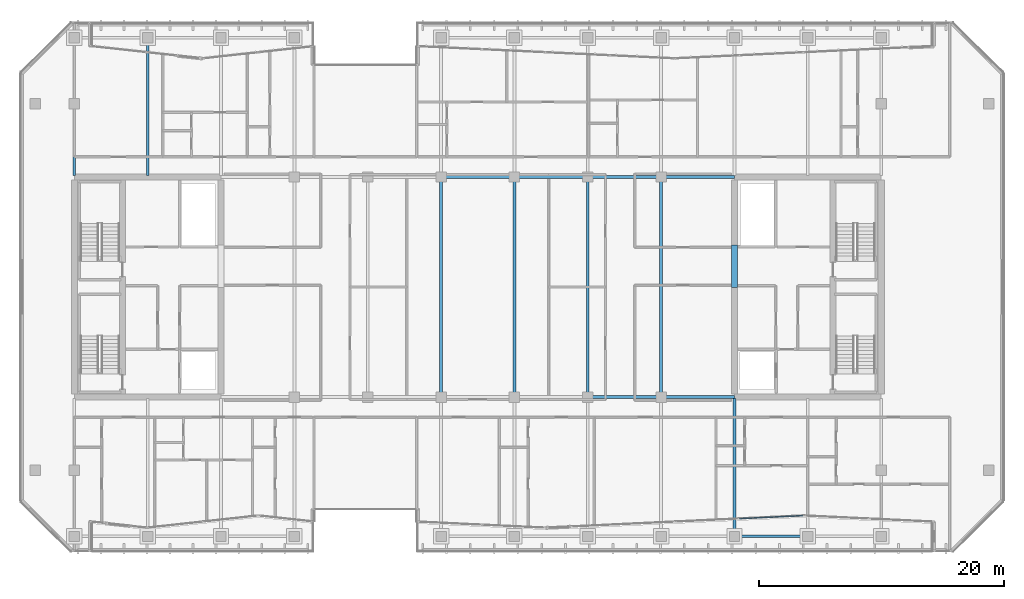
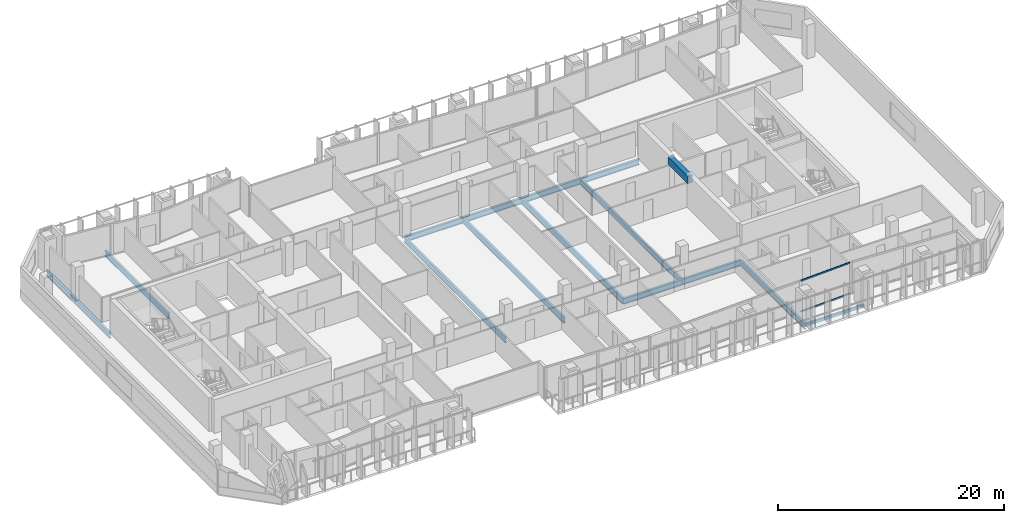
# One storey, part 7 of 28: 15 beams, 2 members, 1 element without a shape of its own.
"""IFC4 building model written with IfcOpenShell, lengths in metres."""

from ifc_helpers import new_model, si_unit, direction, frame, origin, origin_2d, place, context, subcontext, project, spatial, rectangle, hollow_rectangle, i_section, extrude, material, layer, layer_set, material_profile, profile_set, type_object, element, aggregate, save


model = new_model("IFC4")

# Units and contexts
model_context = context("Model", 3, precision=1e-05, world=origin(), true_north=direction((0.0, 1.0)))
body_context = subcontext(model_context, "Body", "Model", "MODEL_VIEW")
ifc_project = project(units=[si_unit("LENGTHUNIT", "METRE"), si_unit("AREAUNIT", "SQUARE_METRE"), si_unit("VOLUMEUNIT", "CUBIC_METRE"), si_unit("PLANEANGLEUNIT", "RADIAN"), si_unit("MASSUNIT", "GRAM", prefix="KILO")], contexts=[model_context])

# Site, building, storey
site_placement = place(None, origin())
site = spatial("IfcSite", under=ifc_project, at=site_placement, CompositionType="ELEMENT")
building_placement = place(site_placement, origin())
building = spatial("IfcBuilding", under=site, at=building_placement, Name="Tanjung Sevakor Pilgrim Tower", CompositionType="ELEMENT")
storey_placement = place(building_placement, frame((0.0, 0.0, 158.39990234375)))
storey = spatial("IfcBuildingStorey", under=building, at=storey_placement, Name="L44", CompositionType="ELEMENT", Elevation=158.39990234375)

# Beams
ifc_material_1 = material(Name="Steel S355J2", Category="steel")
ifc_material_profile_1 = material_profile(ifc_material_1, i_section(OverallWidth=0.230224609375, OverallDepth=0.6171875, WebThickness=0.01318359375, FlangeThickness=0.022216796875, FilletRadius=0.0126953125, at=origin_2d()))
ifc_profile_set_1 = profile_set([ifc_material_profile_1], Name="Steel S355J2")
beam_type_1 = type_object("IfcBeamType", Name="BM-B-G3-UB_610x229x140", PredefinedType="BEAM", material=ifc_profile_set_1)
for number, where, z_axis, x_axis, name in (
    (1, (66.0, 24.60009765625, -0.528564453125), (1.0, 0.0, 0.0), (0.0, 1.0, 0.0), "L44 Primary Floor Girder MAIN Y246-06"),
    (2, (72.0, 24.60009765625, -0.528564453125), (1.0, 0.0, 0.0), (0.0, 1.0, 0.0), "L44 Primary Floor Girder MAIN Y246-07"),
    (3, (54.0, 42.60009765625, -0.528564453125), (1.0, 0.0, 0.0), (0.0, 1.0, 0.0), "L44 Primary Floor Girder MAIN Y426-04"),
    (4, (60.0, 42.60009765625, -0.528564453125), (1.0, 0.0, 0.0), (0.0, 1.0, 0.0), "L44 Primary Floor Girder MAIN Y426-05"),
    (5, (66.0, 42.60009765625, -0.528564453125), (1.0, 0.0, 0.0), (0.0, 1.0, 0.0), "L44 Primary Floor Girder MAIN Y426-06"),
    (6, (72.0, 42.60009765625, -0.528564453125), (1.0, 0.0, 0.0), (0.0, 1.0, 0.0), "L44 Primary Floor Girder MAIN Y426-07"),
):
    element("IfcBeam", number, at=place(storey_placement, frame(where, z_axis=z_axis, x_axis=x_axis)), inside=storey, type_object=beam_type_1, Name=name, PredefinedType="BEAM", context=body_context, shape_type="SweptSolid", body=[
        extrude(i_section(OverallWidth=0.230224609375, OverallDepth=0.6171875, WebThickness=0.01318359375, FlangeThickness=0.022216796875, FilletRadius=0.0126953125, at=origin_2d()), origin(), (0.0, 0.0, 1.0), 6.0),
    ])
ifc_material_2 = material(Name="Steel S355J2", Category="steel")
ifc_material_profile_2 = material_profile(ifc_material_2, i_section(OverallWidth=0.22900390625, OverallDepth=0.6123046875, WebThickness=0.011962890625, FlangeThickness=0.01953125, FilletRadius=0.0126953125, at=origin_2d()))
ifc_profile_set_2 = profile_set([ifc_material_profile_2], Name="Steel S355J2")
beam_type_2 = type_object("IfcBeamType", Name="BM-B-G4-UB_610x229x125", PredefinedType="BEAM", material=ifc_profile_set_2)
for number, where, z_axis, x_axis, name in (
    (7, (24.0, 42.715087890625, -0.526123046875), (0.0, 1.0, 0.0), (-1.0, 0.0, 0.0), "L44 MAIN Girder 002"),
    (8, (30.0, 42.715087890625, -0.526123046875), (0.0, 1.0, 0.0), (-1.0, 0.0, 0.0), "L44 MAIN Girder 004"),
):
    element("IfcBeam", number, at=place(storey_placement, frame(where, z_axis=z_axis, x_axis=x_axis)), inside=storey, type_object=beam_type_2, Name=name, PredefinedType="BEAM", context=body_context, shape_type="SweptSolid", body=[
        extrude(i_section(OverallWidth=0.22900390625, OverallDepth=0.6123046875, WebThickness=0.011962890625, FlangeThickness=0.01953125, FilletRadius=0.0126953125, at=origin_2d()), origin(), (0.0, 0.0, 1.0), 11.284912109375),
    ])
for number, where, z_axis, x_axis, name in (
    (9, (54.0, 24.60009765625, -0.526123046875), (0.0, 1.0, 0.0), (-1.0, 0.0, 0.0), "L44 MAIN Girder 012"),
    (10, (60.0, 24.60009765625, -0.526123046875), (0.0, 1.0, 0.0), (-1.0, 0.0, 0.0), "L44 MAIN Girder 015"),
    (11, (66.0, 24.60009765625, -0.526123046875), (0.0, 1.0, 0.0), (-1.0, 0.0, 0.0), "L44 MAIN Girder 018"),
    (12, (72.0, 24.60009765625, -0.526123046875), (0.0, 1.0, 0.0), (-1.0, 0.0, 0.0), "L44 MAIN Girder 021"),
):
    element("IfcBeam", number, at=place(storey_placement, frame(where, z_axis=z_axis, x_axis=x_axis)), inside=storey, type_object=beam_type_2, Name=name, PredefinedType="BEAM", context=body_context, shape_type="SweptSolid", body=[
        extrude(i_section(OverallWidth=0.22900390625, OverallDepth=0.6123046875, WebThickness=0.011962890625, FlangeThickness=0.01953125, FilletRadius=0.0126953125, at=origin_2d()), origin(), (0.0, 0.0, 1.0), 18.0),
    ])
beam_1_placement = place(storey_placement, frame((78.0, 13.199951171875, -0.526123046875), z_axis=(0.0, 1.0, 0.0), x_axis=(-1.0, 0.0, 0.0)))
element("IfcBeam", 13, at=beam_1_placement, inside=storey, type_object=beam_type_2, Name="L44 MAIN Girder 023", PredefinedType="BEAM", context=body_context, shape_type="SweptSolid", body=[
    extrude(i_section(OverallWidth=0.22900390625, OverallDepth=0.6123046875, WebThickness=0.011962890625, FlangeThickness=0.01953125, FilletRadius=0.0126953125, at=origin_2d()), origin(), (0.0, 0.0, 1.0), 11.284912109375),
])
ifc_material_3 = material(Name="Concrete C60/75", Category="concrete")
ifc_material_profile_3 = material_profile(ifc_material_3, rectangle(XDim=0.5, YDim=0.800048828125, at=origin_2d()))
ifc_profile_set_3 = profile_set([ifc_material_profile_3], Name="Concrete C60/75")
beam_type_3 = type_object("IfcBeamType", Name="BM-B-LN2-RC-BM_500x800", PredefinedType="LINTEL", material=ifc_profile_set_3)
beam_2_placement = place(storey_placement, frame((78.0, 33.550048828125, 3.010009765625), z_axis=(0.0, 1.0, 0.0), x_axis=(-1.0, 0.0, 0.0)))
element("IfcBeam", 14, at=beam_2_placement, inside=storey, type_object=beam_type_3, Name="L44 E Core Coupling Lintel", PredefinedType="LINTEL", context=body_context, shape_type="SweptSolid", body=[
    extrude(rectangle(XDim=0.5, YDim=0.800048828125, at=origin_2d()), origin(), (0.0, 0.0, 1.0), 3.5),
])
ifc_material_4 = material(Name="Steel S355J2", Category="steel")
ifc_material_profile_4 = material_profile(ifc_material_4, hollow_rectangle(XDim=0.199951171875, YDim=0.300048828125, WallThickness=0.012451171875, at=origin_2d()))
ifc_profile_set_4 = profile_set([ifc_material_profile_4], Name="Steel S355J2")
beam_type_4 = type_object("IfcBeamType", Name="BM-B-SP3-RHS_300x200x12.5", PredefinedType="SPANDREL", material=ifc_profile_set_4)
beam_3_placement = place(storey_placement, frame((78.0, 13.199951171875, -0.369873046875), z_axis=(1.0, 0.0, 0.0), x_axis=(0.0, 1.0, 0.0)))
element("IfcBeam", 15, at=beam_3_placement, inside=storey, type_object=beam_type_4, Name="L44 Spandrel MAIN S-15", PredefinedType="SPANDREL", context=body_context, shape_type="SweptSolid", body=[
    extrude(hollow_rectangle(XDim=0.199951171875, YDim=0.300048828125, WallThickness=0.012451171875, at=origin_2d()), origin(), (0.0, 0.0, 1.0), 6.0),
])

# Curtain wall, members
ifc_material_5 = material(Name="Aluminium 6063-T6 and Low-E Glass", Category="aluminium")
ifc_layer = layer(ifc_material_5, 0.199951171875)
ifc_layer_set = layer_set([ifc_layer], Name="CW-SYS-PRAY")
curtain_wall_type = type_object("IfcCurtainWallType", Name="CW-SYS-PRAY", PredefinedType="NOTDEFINED", material=ifc_layer_set)
curtain_wall_placement = place(storey_placement, origin())
curtain_wall = element("IfcCurtainWall", 16, at=curtain_wall_placement, inside=storey, type_object=curtain_wall_type, Name="L44 Curtain Wall CW-PRY-L44-11", PredefinedType="NOTDEFINED")
ifc_material_6 = material(Name="Aluminium 6063-T6", Category="aluminium")
ifc_material_profile_5 = material_profile(ifc_material_6, hollow_rectangle(XDim=0.074951171875, YDim=0.159912109375, WallThickness=0.00439453125, at=origin_2d()))
ifc_profile_set_5 = profile_set([ifc_material_profile_5], Name="Aluminium 6063-T6")
member_type = type_object("IfcMemberType", Name="TYPE-CWT-2", PredefinedType="USERDEFINED", material=ifc_profile_set_5)
member_1_placement = place(storey_placement, frame((78.409423828125, 14.65673828125, 0.03759765625), z_axis=(0.998878367882, 0.047349827638, 0.0), x_axis=(-0.047349827638, 0.998878367882, 0.0)))
member_1 = element("IfcMember", 17, at=member_1_placement, type_object=member_type, Name="CW-PRY transom 2.1", ObjectType="TRANSOM", PredefinedType="USERDEFINED", context=body_context, shape_type="SweptSolid", body=[
    extrude(hollow_rectangle(XDim=0.074951171875, YDim=0.159912109375, WallThickness=0.00439453125, at=origin_2d()), origin(), (0.0, 0.0, 1.0), 5.171630859375),
])
member_2_placement = place(storey_placement, frame((78.409423828125, 14.65673828125, 3.37255859375), z_axis=(0.998878367882, 0.047349827638, 0.0), x_axis=(-0.047349827638, 0.998878367882, 0.0)))
member_2 = element("IfcMember", 18, at=member_2_placement, type_object=member_type, Name="CW-PRY transom 2.2", ObjectType="TRANSOM", PredefinedType="USERDEFINED", context=body_context, shape_type="SweptSolid", body=[
    extrude(hollow_rectangle(XDim=0.074951171875, YDim=0.159912109375, WallThickness=0.00439453125, at=origin_2d()), origin(), (0.0, 0.0, 1.0), 5.171630859375),
])
aggregate(curtain_wall, [member_1, member_2])

save(model, "model.ifc")
